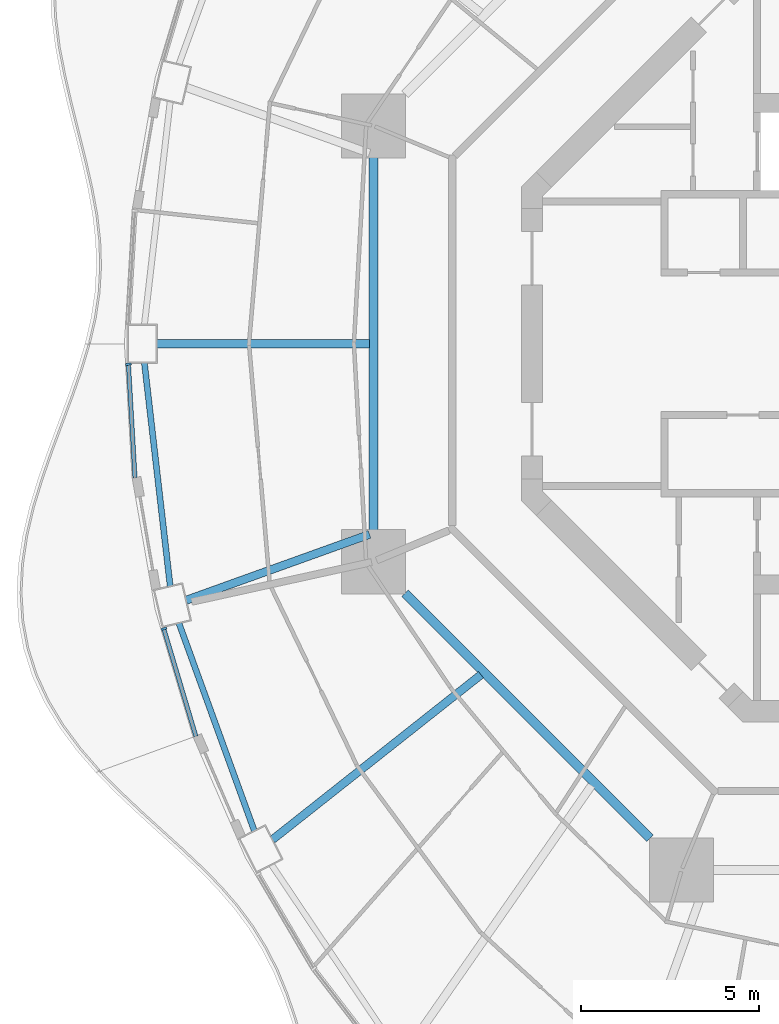
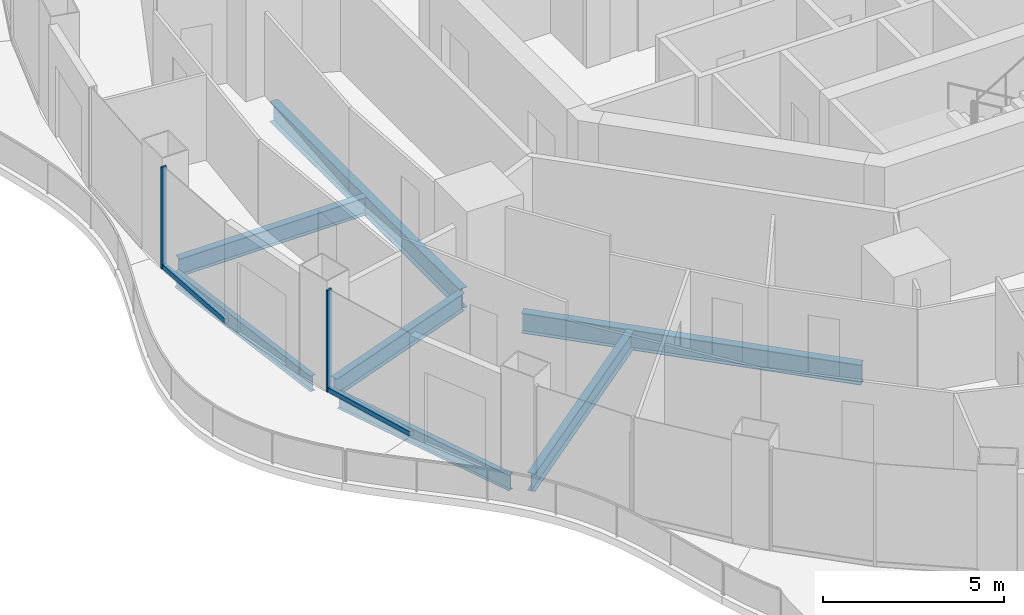
# One storey, part 3 of 19: 7 beams, 4 members, 2 elements without a shape of their own.
"""IFC4 building model written with IfcOpenShell, lengths in metres."""

import ifcopenshell
import ifcopenshell.guid

model = None  # the IFC model being written
_history = None  # IfcOwnerHistory: only IFC2X3 demands one
_inside = {}  # id of a spatial element -> (the spatial element, [elements in it])
_under = {}  # id of a project, library or spatial element -> (it, [spatial elements below it])
_declared = {}  # id of a project -> (the project, [libraries it declares])
_typed = {}  # id of a type object -> (the type object, [elements of that type])
_made_of = {}  # id of a material, layer set ... -> (it, [elements and type objects made of it])


def new_model(schema):
    """Start an empty IFC model of exactly this schema.

    Asked for "IFC4X3", IfcOpenShell would pick the latest addendum, in which some entities
    have other attributes; the version numbers below select the first issue.
    IFC2X3 requires an IfcOwnerHistory on every rooted entity: one is made here for all.
    """
    global model, _history
    if schema == "IFC4X3":
        model = ifcopenshell.file(schema_version=(4, 3, 0, 0))
    else:
        model = ifcopenshell.file(schema=schema)
    _inside.clear()
    _under.clear()
    _declared.clear()
    _typed.clear()
    _made_of.clear()
    _history = None
    if model.schema == "IFC2X3":
        org = make("IfcOrganization", Name="unknown")
        user = make(
            "IfcPersonAndOrganization",
            ThePerson=make("IfcPerson", FamilyName="unknown"),
            TheOrganization=org,
        )
        app = make(
            "IfcApplication",
            ApplicationDeveloper=org,
            Version="unknown",
            ApplicationFullName="unknown",
            ApplicationIdentifier="unknown",
        )
        _history = make(
            "IfcOwnerHistory",
            OwningUser=user,
            OwningApplication=app,
            ChangeAction="ADDED",
            CreationDate=0,
        )
    return model


def make(cls, **values):
    """One entity of the class cls with the attributes given. An attribute that is None is left unset."""
    return model.create_entity(
        cls, **{name: value for name, value in values.items() if value is not None}
    )


def rooted(cls, **values):
    """An entity with a GlobalId (a new one), such as an element, a storey or a relation."""
    return make(cls, GlobalId=ifcopenshell.guid.new(), OwnerHistory=_history, **values)


def si_unit(unit_type, name, prefix=None):
    """IfcSIUnit, for example si_unit("LENGTHUNIT", "METRE", prefix="MILLI")."""
    return make("IfcSIUnit", UnitType=unit_type, Prefix=prefix, Name=name)


def assignment(units):
    """IfcUnitAssignment: the units of a project."""
    return None if units is None else make("IfcUnitAssignment", Units=units)


def point(xyz):
    """IfcCartesianPoint."""
    return None if xyz is None else make("IfcCartesianPoint", Coordinates=xyz)


def direction(xyz):
    """IfcDirection."""
    return None if xyz is None else make("IfcDirection", DirectionRatios=xyz)


def frame(location, z_axis=None, x_axis=None):
    """IfcAxis2Placement3D, a coordinate frame: its origin and axes. An axis left out is left unset."""
    return make(
        "IfcAxis2Placement3D",
        Location=point(location),
        Axis=direction(z_axis),
        RefDirection=direction(x_axis),
    )


def frame_2d(location, x_axis=None):
    """IfcAxis2Placement2D, a coordinate frame in the plane: its origin and x axis."""
    return make(
        "IfcAxis2Placement2D", Location=point(location), RefDirection=direction(x_axis)
    )


def origin():
    """The frame at (0, 0, 0) with its axes left unset."""
    return frame((0.0, 0.0, 0.0))


def origin_2d():
    """The frame at (0, 0) in the plane with its x axis left unset."""
    return frame_2d((0.0, 0.0))


def place(relative_to, where):
    """IfcLocalPlacement: puts the frame where relative to a parent placement (None: the world)."""
    return make(
        "IfcLocalPlacement", PlacementRelTo=relative_to, RelativePlacement=where
    )


def context(
    kind, dimensions, precision=None, world=None, true_north=None, identifier=None
):
    """IfcGeometricRepresentationContext, for example the 3D "Model" context."""
    return make(
        "IfcGeometricRepresentationContext",
        ContextIdentifier=identifier,
        ContextType=kind,
        CoordinateSpaceDimension=dimensions,
        Precision=precision,
        WorldCoordinateSystem=world,
        TrueNorth=true_north,
    )


def subcontext(parent, identifier, kind, view, scale=None):
    """IfcGeometricRepresentationSubContext, for example "Body" below "Model"."""
    return make(
        "IfcGeometricRepresentationSubContext",
        ContextIdentifier=identifier,
        ContextType=kind,
        ParentContext=parent,
        TargetScale=scale,
        TargetView=view,
    )


def project(units=None, contexts=None):
    """IfcProject with its units and contexts."""
    return rooted(
        "IfcProject",
        Name="project",
        RepresentationContexts=contexts,
        UnitsInContext=assignment(units),
    )


def spatial(cls, under=None, at=None, **own):
    """A site, building, storey or space (cls), placed at a placement, below another one or the project."""
    s = rooted(cls, ObjectPlacement=at, **own)
    if under is not None:
        _under.setdefault(under.id(), (under, []))[1].append(s)
    return s


def profile(cls, at=None, kind="AREA", **sizes):
    """A parametric profile (cls). Its sizes go by their IFC names, for example OverallWidth=200.0."""
    return make(cls, ProfileType=kind, Position=at, **sizes)


def rectangle(**sizes):
    """IfcRectangleProfileDef."""
    return profile("IfcRectangleProfileDef", **sizes)


def i_section(**sizes):
    """IfcIShapeProfileDef."""
    return profile("IfcIShapeProfileDef", **sizes)


def extrude(swept, where, along, depth):
    """IfcExtrudedAreaSolid: the profile swept, set in the frame where, extruded along a direction by depth."""
    return make(
        "IfcExtrudedAreaSolid",
        SweptArea=swept,
        Position=where,
        ExtrudedDirection=direction(along),
        Depth=depth,
    )


def shape(context_of_items, identifier, shape_type, items):
    """IfcShapeRepresentation: the items that make up one representation, for example the "Body"."""
    return make(
        "IfcShapeRepresentation",
        ContextOfItems=context_of_items,
        RepresentationIdentifier=identifier,
        RepresentationType=shape_type,
        Items=items,
    )


def material(Name=None, Category=None):
    """IfcMaterial."""
    return make("IfcMaterial", Name=Name, Category=Category)


def layer(
    of_material, thickness, ventilated=None, Name=None, Category=None, Priority=None
):
    """IfcMaterialLayer: one layer of a wall or slab, of a material (None: an air gap)."""
    return make(
        "IfcMaterialLayer",
        Material=of_material,
        LayerThickness=thickness,
        IsVentilated=ventilated,
        Name=Name,
        Category=Category,
        Priority=Priority,
    )


def layer_set(layers, Name=None):
    """IfcMaterialLayerSet."""
    return make("IfcMaterialLayerSet", MaterialLayers=layers, LayerSetName=Name)


def material_profile(
    of_material, cross_section, Name=None, Category=None, Priority=None
):
    """IfcMaterialProfile: a cross section and its material."""
    return make(
        "IfcMaterialProfile",
        Name=Name,
        Material=of_material,
        Profile=cross_section,
        Priority=Priority,
        Category=Category,
    )


def profile_set(profiles, Name=None, composite=None):
    """IfcMaterialProfileSet."""
    return make(
        "IfcMaterialProfileSet",
        Name=Name,
        MaterialProfiles=profiles,
        CompositeProfile=composite,
    )


def made_of(thing, what):
    """Note that an element or type object is made of a material, layer set ...; save() writes the relation."""
    if what is not None:
        _made_of.setdefault(what.id(), (what, []))[1].append(thing)
    return thing


def type_object(cls, material=None, **own):
    """A type object (cls), such as IfcWallType, which elements share."""
    return made_of(rooted(cls, **own), material)


def element(
    cls,
    number,
    at=None,
    inside=None,
    cuts=None,
    type_object=None,
    material=None,
    context=None,
    identifier="Body",
    shape_type=None,
    held_by="IfcProductDefinitionShape",
    body=None,
    shapes=None,
    **own,
):
    """One element of the class cls, such as IfcWall. Its Tag is "e" and its number.

    at: its placement. inside: the storey or other place that contains it. cuts: it is an
    opening in that element (IfcRelVoidsElement). A single representation is given by context,
    identifier, shape_type and body (its items); several are given by shapes. held_by: the class
    of the entity that holds the representations. save() writes the other relations.
    """
    e = rooted(cls, Tag="e%d" % number, ObjectPlacement=at, **own)
    if body is not None:
        shapes = [shape(context, identifier, shape_type, body)]
    if shapes is not None:
        e.Representation = make(held_by, Representations=shapes)
    if inside is not None:
        _inside.setdefault(inside.id(), (inside, []))[1].append(e)
    if cuts is not None:
        rooted(
            "IfcRelVoidsElement", RelatingBuildingElement=cuts, RelatedOpeningElement=e
        )
    if type_object is not None:
        _typed.setdefault(type_object.id(), (type_object, []))[1].append(e)
    return made_of(e, material)


def aggregate(whole, parts):
    """IfcRelAggregates: a whole, such as a stair, and the parts it consists of."""
    return rooted("IfcRelAggregates", RelatingObject=whole, RelatedObjects=parts)


def save(model, path):
    """Write the relations noted so far, then the file.

    IfcRelAggregates (storeys below a building ...), IfcRelContainedInSpatialStructure (elements
    in a storey), IfcRelDefinesByType, IfcRelAssociatesMaterial and IfcRelDeclares: one each for
    every whole, place, type object, material and project.
    """
    for whole, parts in _under.values():
        aggregate(whole, parts)
    for where, things in _inside.values():
        rooted(
            "IfcRelContainedInSpatialStructure",
            RelatedElements=things,
            RelatingStructure=where,
        )
    for kind, things in _typed.values():
        rooted("IfcRelDefinesByType", RelatedObjects=things, RelatingType=kind)
    for what, things in _made_of.values():
        rooted("IfcRelAssociatesMaterial", RelatedObjects=things, RelatingMaterial=what)
    for by, libraries in _declared.values():
        rooted("IfcRelDeclares", RelatingContext=by, RelatedDefinitions=libraries)
    model.write(path)


model = new_model("IFC4")

# Units and contexts
model_context = context("Model", 3, precision=1e-05, world=origin(), true_north=direction((0.0, 1.0)))
body_context = subcontext(model_context, "Body", "Model", "MODEL_VIEW")
ifc_project = project(units=[si_unit("LENGTHUNIT", "METRE"), si_unit("AREAUNIT", "SQUARE_METRE"), si_unit("VOLUMEUNIT", "CUBIC_METRE"), si_unit("PLANEANGLEUNIT", "RADIAN"), si_unit("MASSUNIT", "GRAM", prefix="KILO")], contexts=[model_context])

# Site, building, storey
site_placement = place(None, origin())
site = spatial("IfcSite", under=ifc_project, at=site_placement, CompositionType="ELEMENT")
building_placement = place(site_placement, origin())
building = spatial("IfcBuilding", under=site, at=building_placement, Name="Nagisa Residences", CompositionType="ELEMENT")
storey_placement = place(building_placement, frame((0.0, 0.0, 180.699951171875)))
storey = spatial("IfcBuildingStorey", under=building, at=storey_placement, Name="L45", CompositionType="ELEMENT", Elevation=180.699951171875)

# Curtain wall, member
ifc_material_1 = material(Name="Concrete-coloured aluminium curtain wall system", Category="concrete")
ifc_layer = layer(ifc_material_1, 0.159912109375)
ifc_layer_set = layer_set([ifc_layer], Name="CW1 CURTAIN WALL")
curtain_wall_type = type_object("IfcCurtainWallType", Name="CW1 CURTAIN WALL", PredefinedType="NOTDEFINED", material=ifc_layer_set)
curtain_wall_1_placement = place(storey_placement, origin())
curtain_wall_1 = element("IfcCurtainWall", 1, at=curtain_wall_1_placement, inside=storey, type_object=curtain_wall_type, Name="cw:CW1:L45:24", PredefinedType="NOTDEFINED")
ifc_material_2 = material(Name="Concrete-coloured aluminium", Category="concrete")
ifc_material_profile_1 = material_profile(ifc_material_2, rectangle(XDim=0.159912109375, YDim=0.06005859375, at=origin_2d()), Name="CW1 MULLION 160x60")
ifc_profile_set_1 = profile_set([ifc_material_profile_1], Name="Concrete-coloured aluminium")
member_type_1 = type_object("IfcMemberType", Name="CW1 MULLION 160x60", PredefinedType="MULLION", material=ifc_profile_set_1)
member_1_placement = place(storey_placement, frame((-21.661865234375, -0.574462890625, 0.0), z_axis=(0.0, 0.0, 1.0), x_axis=(0.998345305184, 0.057503492216, 0.0)))
member_1 = element("IfcMember", 2, at=member_1_placement, type_object=member_type_1, Name="CW1 mullion", PredefinedType="MULLION", context=body_context, shape_type="SweptSolid", body=[
    extrude(rectangle(XDim=0.159912109375, YDim=0.06005859375, at=origin_2d()), origin(), (0.0, 0.0, 1.0), 3.43994140625),
])

curtain_wall_2_placement = place(storey_placement, origin())
curtain_wall_2 = element("IfcCurtainWall", 3, at=curtain_wall_2_placement, inside=storey, type_object=curtain_wall_type, Name="cw:CW1:L45:26", PredefinedType="NOTDEFINED")
member_2_placement = place(storey_placement, frame((-20.66796875, -8.00634765625, 0.0), z_axis=(0.0, 0.0, 1.0), x_axis=(0.958271310082, 0.285860274038, 0.0)))
member_2 = element("IfcMember", 4, at=member_2_placement, type_object=member_type_1, Name="CW1 mullion", PredefinedType="MULLION", context=body_context, shape_type="SweptSolid", body=[
    extrude(rectangle(XDim=0.159912109375, YDim=0.06005859375, at=origin_2d()), origin(), (0.0, 0.0, 1.0), 3.43994140625),
])

# Member
ifc_material_3 = material(Name="Concrete-coloured aluminium", Category="concrete")
ifc_material_profile_2 = material_profile(ifc_material_3, rectangle(XDim=0.1201171875, YDim=0.14990234375, at=origin_2d()), Name="CW1 TRANSOM 120x150")
ifc_profile_set_2 = profile_set([ifc_material_profile_2], Name="Concrete-coloured aluminium")
member_type_2 = type_object("IfcMemberType", Name="CW1 TRANSOM 120x150", PredefinedType="USERDEFINED", material=ifc_profile_set_2)
member_3_placement = place(storey_placement, frame((-21.66357421875, -0.54443359375, 0.074951171875), z_axis=(0.057528345118, -0.998343873376, 0.0), x_axis=(0.998343873376, 0.057528345118, 0.0)))
member_3 = element("IfcMember", 5, at=member_3_placement, type_object=member_type_2, Name="CW1 transom", ObjectType="TRANSOM", PredefinedType="USERDEFINED", context=body_context, shape_type="SweptSolid", body=[
    extrude(rectangle(XDim=0.1201171875, YDim=0.14990234375, at=origin_2d()), origin(), (0.0, 0.0, 1.0), 3.225341796875),
])

aggregate(curtain_wall_1, [member_1, member_3])

member_4_placement = place(storey_placement, frame((-20.676513671875, -7.9775390625, 0.074951171875), z_axis=(0.28584838049, -0.958274857946, 0.0), x_axis=(0.958274857946, 0.28584838049, 0.0)))
member_4 = element("IfcMember", 6, at=member_4_placement, type_object=member_type_2, Name="CW1 transom", ObjectType="TRANSOM", PredefinedType="USERDEFINED", context=body_context, shape_type="SweptSolid", body=[
    extrude(rectangle(XDim=0.1201171875, YDim=0.14990234375, at=origin_2d()), origin(), (0.0, 0.0, 1.0), 3.182373046875),
])

aggregate(curtain_wall_2, [member_2, member_4])

# Beams
ifc_material_4 = material(Name="Steel ASTM A572 Gr 50", Category="steel")
ifc_material_profile_3 = material_profile(ifc_material_4, i_section(OverallWidth=0.25390625, OverallDepth=0.68408203125, WebThickness=0.012451171875, FlangeThickness=0.018798828125, at=origin_2d()), Name="W690x140")
ifc_profile_set_3 = profile_set([ifc_material_profile_3], Name="Steel ASTM A572 Gr 50")
beam_type_1 = type_object("IfcBeamType", Name="Inner ring beam W690x140", PredefinedType="BEAM", material=ifc_profile_set_3)
beam_1_placement = place(storey_placement, frame((-14.781982421875, 5.242919921875, -0.60205078125), z_axis=(0.0, -1.0, 0.0), x_axis=(1.0, 0.0, 0.0)))
element("IfcBeam", 7, at=beam_1_placement, inside=storey, type_object=beam_type_1, Name="beam:L45:ib4", PredefinedType="BEAM", context=body_context, shape_type="SweptSolid", body=[
    extrude(i_section(OverallWidth=0.25390625, OverallDepth=0.68408203125, WebThickness=0.012451171875, FlangeThickness=0.018798828125, at=origin_2d()), origin(), (0.0, 0.0, 1.0), 10.48583984375),
])
beam_2_placement = place(storey_placement, frame((-13.896240234375, -7.0087890625, -0.60205078125), z_axis=(0.707106781187, -0.707106781187, 0.0), x_axis=(0.707106781187, 0.707106781187, 0.0)))
element("IfcBeam", 8, at=beam_2_placement, inside=storey, type_object=beam_type_1, Name="beam:L45:ib5", PredefinedType="BEAM", context=body_context, shape_type="SweptSolid", body=[
    extrude(i_section(OverallWidth=0.25390625, OverallDepth=0.68408203125, WebThickness=0.012451171875, FlangeThickness=0.018798828125, at=origin_2d()), origin(), (0.0, 0.0, 1.0), 9.740234375),
])
ifc_material_5 = material(Name="Steel ASTM A572 Gr 50", Category="steel")
ifc_material_profile_4 = material_profile(ifc_material_5, i_section(OverallWidth=0.166015625, OverallDepth=0.534912109375, WebThickness=0.01025390625, FlangeThickness=0.0166015625, at=origin_2d()), Name="W530x85")
ifc_profile_set_4 = profile_set([ifc_material_profile_4], Name="Steel ASTM A572 Gr 50")
beam_type_2 = type_object("IfcBeamType", Name="Perimeter ring beam W530x85", PredefinedType="BEAM", material=ifc_profile_set_4)
beam_3_placement = place(storey_placement, frame((-21.2138671875, -0.530029296875, -0.52734375), z_axis=(0.114670987431, -0.993403525583, 0.0), x_axis=(0.993403525583, 0.114670987431, 0.0)))
element("IfcBeam", 9, at=beam_3_placement, inside=storey, type_object=beam_type_2, Name="beam:L45:pb13", PredefinedType="BEAM", context=body_context, shape_type="SweptSolid", body=[
    extrude(i_section(OverallWidth=0.166015625, OverallDepth=0.534912109375, WebThickness=0.01025390625, FlangeThickness=0.0166015625, at=origin_2d()), origin(), (0.0, 0.0, 1.0), 6.325439453125),
])
beam_4_placement = place(storey_placement, frame((-20.2451171875, -7.845703125, -0.52734375), z_axis=(0.341285525681, -0.939959674646, 0.0), x_axis=(0.939959674646, 0.341285525681, 0.0)))
element("IfcBeam", 10, at=beam_4_placement, inside=storey, type_object=beam_type_2, Name="beam:L45:pb14", PredefinedType="BEAM", context=body_context, shape_type="SweptSolid", body=[
    extrude(i_section(OverallWidth=0.166015625, OverallDepth=0.534912109375, WebThickness=0.01025390625, FlangeThickness=0.0166015625, at=origin_2d()), origin(), (0.0, 0.0, 1.0), 6.212890625),
])
ifc_material_6 = material(Name="Steel ASTM A572 Gr 50", Category="steel")
ifc_material_profile_5 = material_profile(ifc_material_6, i_section(OverallWidth=0.22802734375, OverallDepth=0.60302734375, WebThickness=0.010498046875, FlangeThickness=0.014892578125, at=origin_2d()), Name="W610x101")
ifc_profile_set_5 = profile_set([ifc_material_profile_5], Name="Steel ASTM A572 Gr 50")
beam_type_3 = type_object("IfcBeamType", Name="Radial beam W610x101", PredefinedType="BEAM", material=ifc_profile_set_5)
beam_5_placement = place(storey_placement, frame((-20.8701171875, 0.0, -0.5615234375), z_axis=(1.0, 0.0, 0.0), x_axis=(0.0, 1.0, 0.0)))
element("IfcBeam", 11, at=beam_5_placement, inside=storey, type_object=beam_type_3, Name="beam:L45:rb13", PredefinedType="BEAM", context=body_context, shape_type="SweptSolid", body=[
    extrude(i_section(OverallWidth=0.22802734375, OverallDepth=0.60302734375, WebThickness=0.010498046875, FlangeThickness=0.014892578125, at=origin_2d()), origin(), (0.0, 0.0, 1.0), 5.98095703125),
])
beam_6_placement = place(storey_placement, frame((-20.043701171875, -7.2060546875, -0.5615234375), z_axis=(0.941032808963, 0.338315315137, 0.0), x_axis=(-0.338315315137, 0.941032808963, 0.0)))
element("IfcBeam", 12, at=beam_6_placement, inside=storey, type_object=beam_type_3, Name="beam:L45:rb14", PredefinedType="BEAM", context=body_context, shape_type="SweptSolid", body=[
    extrude(i_section(OverallWidth=0.22802734375, OverallDepth=0.60302734375, WebThickness=0.010498046875, FlangeThickness=0.014892578125, at=origin_2d()), origin(), (0.0, 0.0, 1.0), 5.4765625),
])
beam_7_placement = place(storey_placement, frame((-17.617919921875, -13.930908203125, -0.5615234375), z_axis=(0.784411523752, 0.620240728593, 0.0), x_axis=(-0.620240728593, 0.784411523752, 0.0)))
element("IfcBeam", 13, at=beam_7_placement, inside=storey, type_object=beam_type_3, Name="beam:L45:rb15", PredefinedType="BEAM", context=body_context, shape_type="SweptSolid", body=[
    extrude(i_section(OverallWidth=0.22802734375, OverallDepth=0.60302734375, WebThickness=0.010498046875, FlangeThickness=0.014892578125, at=origin_2d()), origin(), (0.0, 0.0, 1.0), 7.4697265625),
])

save(model, "model.ifc")
